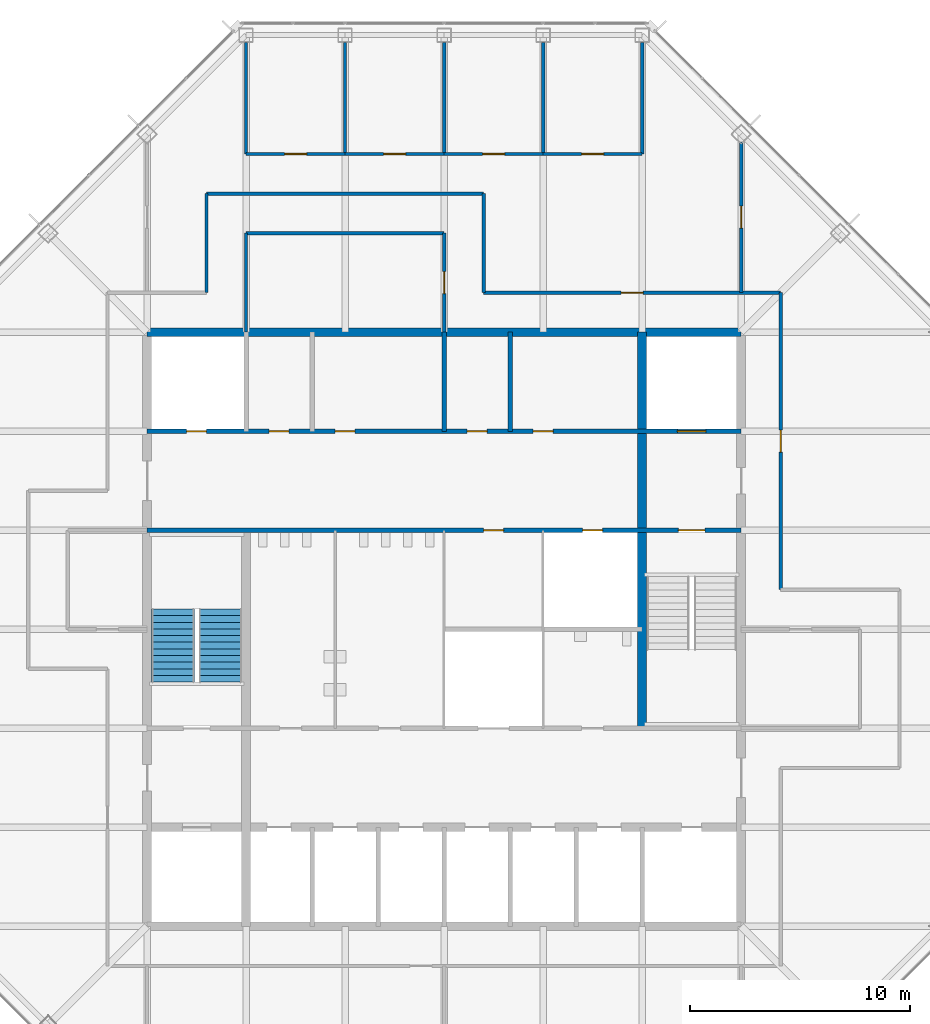
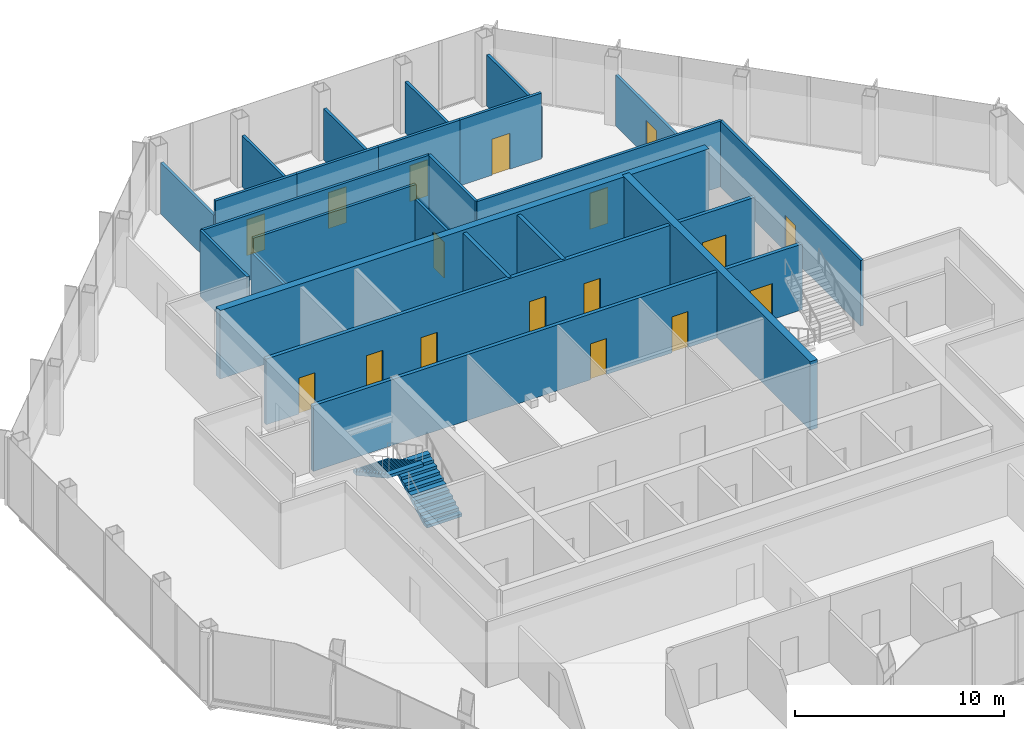
# One storey, part 11 of 14: 24 walls, 17 doors, 2 stair flights, 17 openings, 1 element without a shape of its own.
"""IFC4 building model written with IfcOpenShell, lengths in metres."""

from ifc_helpers import new_model, si_unit, direction, frame, frame_2d, origin, place, context, subcontext, project, spatial, polyline, rectangle, outline, extrude, material, layer, layer_set, type_object, element, fill, aggregate, save


model = new_model("IFC4")

# Units and contexts
model_context = context("Model", 3, precision=1e-05, world=origin(), true_north=direction((0.0, 1.0)))
body_context = subcontext(model_context, "Body", "Model", "MODEL_VIEW")
ifc_project = project(units=[si_unit("LENGTHUNIT", "METRE"), si_unit("AREAUNIT", "SQUARE_METRE"), si_unit("VOLUMEUNIT", "CUBIC_METRE"), si_unit("PLANEANGLEUNIT", "RADIAN"), si_unit("MASSUNIT", "GRAM", prefix="KILO")], contexts=[model_context])

# Site, building, storey
site_placement = place(None, origin())
site = spatial("IfcSite", under=ifc_project, at=site_placement, CompositionType="ELEMENT")
building_placement = place(site_placement, origin())
building = spatial("IfcBuilding", under=site, at=building_placement, Name="Corais Broadcast Tower", CompositionType="ELEMENT")
storey_placement = place(building_placement, frame((0.0, 0.0, 250.60009765625)))
storey = spatial("IfcBuildingStorey", under=building, at=storey_placement, Name="L58", CompositionType="ELEMENT", Elevation=250.60009765625)

# Wall, openings, doors
ifc_material_1 = material(Name="Concrete blockwork class A, grouted, two-hour", Category="masonry")
ifc_layer_1 = layer(ifc_material_1, 0.199951171875)
ifc_layer_set_1 = layer_set([ifc_layer_1], Name="Concrete blockwork class A, grouted, two-hour")
wall_type_1 = type_object("IfcWallType", Name="Core lobby wall 200", PredefinedType="SOLIDWALL", material=ifc_layer_set_1)
wall_1_placement = place(storey_placement, frame((13.5, 31.5, 0.0), z_axis=(0.0, 0.0, 1.0), x_axis=(1.0, 0.0, 0.0)))
wall_1 = element("IfcWall", 1, at=wall_1_placement, inside=storey, type_object=wall_type_1, Name="CL3 core lobby wall Y315 L58", PredefinedType="SOLIDWALL", context=body_context, shape_type="SweptSolid", body=[
    extrude(rectangle(XDim=27.0, YDim=0.199951171875, at=frame_2d((13.5, 0.0))), origin(), (0.0, 0.0, 1.0), 3.83984375),
])
opening_1_placement = place(wall_1_placement, frame((24.14990234375, 0.0, 0.0)))
opening_1 = element("IfcOpeningElement", 2, at=opening_1_placement, cuts=wall_1, Name="Opening FD1", PredefinedType="OPENING", context=body_context, shape_type="SweptSolid", body=[
    extrude(rectangle(XDim=1.199951171875, YDim=2.10009765625, at=frame_2d((0.60009765625, 1.050048828125))), frame((0.0, 0.10986328125, 0.0), z_axis=(0.0, -1.0, 0.0), x_axis=(1.0, 0.0, 0.0)), (0.0, 0.0, 1.0), 0.219970703125),
])
opening_2_placement = place(wall_1_placement, frame((15.300048828125, 0.0, 0.0)))
opening_2 = element("IfcOpeningElement", 3, at=opening_2_placement, cuts=wall_1, Name="Opening RD1", PredefinedType="OPENING", context=body_context, shape_type="SweptSolid", body=[
    extrude(rectangle(XDim=0.89990234375, YDim=2.10009765625, at=frame_2d((0.449951171875, 1.050048828125))), frame((0.0, 0.10986328125, 0.0), z_axis=(0.0, -1.0, 0.0), x_axis=(1.0, 0.0, 0.0)), (0.0, 0.0, 1.0), 0.219970703125),
])
opening_3_placement = place(wall_1_placement, frame((19.800048828125, 0.0, 0.0)))
opening_3 = element("IfcOpeningElement", 4, at=opening_3_placement, cuts=wall_1, Name="Opening RD1", PredefinedType="OPENING", context=body_context, shape_type="SweptSolid", body=[
    extrude(rectangle(XDim=0.89990234375, YDim=2.10009765625, at=frame_2d((0.449951171875, 1.050048828125))), frame((0.0, 0.10986328125, 0.0), z_axis=(0.0, -1.0, 0.0), x_axis=(1.0, 0.0, 0.0)), (0.0, 0.0, 1.0), 0.219970703125),
])
ifc_material_2 = material(Name="Steel fire door", Category="steel")
door_type_1 = type_object("IfcDoorType", Name="Fire door 1200x2100", OperationType="SINGLE_SWING_LEFT", PredefinedType="DOOR", material=ifc_material_2)
door_1_placement = place(opening_1_placement, origin())
door_1 = element("IfcDoor", 5, at=door_1_placement, inside=storey, type_object=door_type_1, Name="FD1 stair B door L58", OperationType="SINGLE_SWING_RIGHT", OverallHeight=2.10009765625, OverallWidth=1.199951171875, PredefinedType="DOOR", context=body_context, shape_type="SweptSolid", body=[
    extrude(rectangle(XDim=1.199951171875, YDim=2.10009765625, at=frame_2d((0.60009765625, 1.050048828125))), frame((0.0, 0.02490234375, 0.0), z_axis=(0.0, -1.0, 0.0), x_axis=(1.0, 0.0, 0.0)), (0.0, 0.0, 1.0), 0.050048828125),
])
fill(opening_1, door_1)
ifc_material_3 = material(Name="Steel fire door", Category="steel")
door_type_2 = type_object("IfcDoorType", Name="Riser door 900x2100", OperationType="SINGLE_SWING_LEFT", PredefinedType="DOOR", material=ifc_material_3)
door_2_placement = place(opening_2_placement, origin())
door_2 = element("IfcDoor", 6, at=door_2_placement, inside=storey, type_object=door_type_2, Name="RD1 stationery store door L58", OperationType="SINGLE_SWING_RIGHT", OverallHeight=2.10009765625, OverallWidth=0.89990234375, PredefinedType="DOOR", context=body_context, shape_type="SweptSolid", body=[
    extrude(rectangle(XDim=0.89990234375, YDim=2.10009765625, at=frame_2d((0.449951171875, 1.050048828125))), frame((0.0, 0.02490234375, 0.0), z_axis=(0.0, -1.0, 0.0), x_axis=(1.0, 0.0, 0.0)), (0.0, 0.0, 1.0), 0.050048828125),
])
fill(opening_2, door_2)
door_3_placement = place(opening_3_placement, origin())
door_3 = element("IfcDoor", 7, at=door_3_placement, inside=storey, type_object=door_type_2, Name="RD1 riser door L58", OperationType="SINGLE_SWING_RIGHT", OverallHeight=2.10009765625, OverallWidth=0.89990234375, PredefinedType="DOOR", context=body_context, shape_type="SweptSolid", body=[
    extrude(rectangle(XDim=0.89990234375, YDim=2.10009765625, at=frame_2d((0.449951171875, 1.050048828125))), frame((0.0, 0.02490234375, 0.0), z_axis=(0.0, -1.0, 0.0), x_axis=(1.0, 0.0, 0.0)), (0.0, 0.0, 1.0), 0.050048828125),
])
fill(opening_3, door_3)

# Walls
ifc_material_4 = material(Name="Concrete C50/60", Category="concrete")
ifc_layer_2 = layer(ifc_material_4, 0.39990234375)
ifc_layer_set_2 = layer_set([ifc_layer_2], Name="Concrete C50/60")
wall_type_2 = type_object("IfcWallType", Name="Core wall 400", PredefinedType="SHEAR", material=ifc_layer_set_2)
wall_2_placement = place(storey_placement, frame((40.5, 40.5, 0.0), z_axis=(0.0, 0.0, 1.0), x_axis=(-1.0, 0.0, 0.0)))
element("IfcWall", 8, at=wall_2_placement, inside=storey, type_object=wall_type_2, Name="CR400 core wall N L58", PredefinedType="SHEAR", context=body_context, shape_type="SweptSolid", body=[
    extrude(rectangle(XDim=27.0, YDim=0.39990234375, at=frame_2d((13.5, 0.0))), origin(), (0.0, 0.0, 1.0), 4.0),
])
wall_3_placement = place(storey_placement, frame((36.0, 22.5, 0.0), z_axis=(0.0, 0.0, 1.0), x_axis=(0.0, 1.0, 0.0)))
element("IfcWall", 9, at=wall_3_placement, inside=storey, type_object=wall_type_2, Name="CR400 core wall X36B L58", PredefinedType="SHEAR", context=body_context, shape_type="SweptSolid", body=[
    extrude(rectangle(XDim=18.0, YDim=0.39990234375, at=frame_2d((9.0, 0.0))), origin(), (0.0, 0.0, 1.0), 4.0),
])

# Wall, openings, doors
ifc_material_5 = material(Name="Concrete blockwork class A, grouted, four-hour", Category="masonry")
ifc_layer_3 = layer(ifc_material_5, 0.199951171875)
ifc_layer_set_3 = layer_set([ifc_layer_3], Name="Concrete blockwork class A, grouted, four-hour")
wall_type_3 = type_object("IfcWallType", Name="Emergency lift shaft wall 200", PredefinedType="SOLIDWALL", material=ifc_layer_set_3)
wall_4_placement = place(storey_placement, frame((13.5, 36.0, 0.0), z_axis=(0.0, 0.0, 1.0), x_axis=(1.0, 0.0, 0.0)))
wall_4 = element("IfcWall", 10, at=wall_4_placement, inside=storey, type_object=wall_type_3, Name="LS3 core lobby wall Y36 L58", PredefinedType="SOLIDWALL", context=body_context, shape_type="SweptSolid", body=[
    extrude(rectangle(XDim=27.0, YDim=0.199951171875, at=frame_2d((13.5, 0.0))), origin(), (0.0, 0.0, 1.0), 3.83984375),
])
opening_4_placement = place(wall_4_placement, frame((1.800048828125, 0.0, 0.0)))
opening_4 = element("IfcOpeningElement", 11, at=opening_4_placement, cuts=wall_4, Name="Opening RD1", PredefinedType="OPENING", context=body_context, shape_type="SweptSolid", body=[
    extrude(rectangle(XDim=0.89990234375, YDim=2.10009765625, at=frame_2d((0.449951171875, 1.050048828125))), frame((0.0, 0.10986328125, 0.0), z_axis=(0.0, -1.0, 0.0), x_axis=(1.0, 0.0, 0.0)), (0.0, 0.0, 1.0), 0.219970703125),
])
opening_5_placement = place(wall_4_placement, frame((5.550048828125, 0.0, 0.0)))
opening_5 = element("IfcOpeningElement", 12, at=opening_5_placement, cuts=wall_4, Name="Opening RD1", PredefinedType="OPENING", context=body_context, shape_type="SweptSolid", body=[
    extrude(rectangle(XDim=0.89990234375, YDim=2.10009765625, at=frame_2d((0.449951171875, 1.050048828125))), frame((0.0, 0.10986328125, 0.0), z_axis=(0.0, -1.0, 0.0), x_axis=(1.0, 0.0, 0.0)), (0.0, 0.0, 1.0), 0.219970703125),
])
opening_6_placement = place(wall_4_placement, frame((8.550048828125, 0.0, 0.0)))
opening_6 = element("IfcOpeningElement", 13, at=opening_6_placement, cuts=wall_4, Name="Opening RD1", PredefinedType="OPENING", context=body_context, shape_type="SweptSolid", body=[
    extrude(rectangle(XDim=0.89990234375, YDim=2.10009765625, at=frame_2d((0.449951171875, 1.050048828125))), frame((0.0, 0.10986328125, 0.0), z_axis=(0.0, -1.0, 0.0), x_axis=(1.0, 0.0, 0.0)), (0.0, 0.0, 1.0), 0.219970703125),
])
opening_7_placement = place(wall_4_placement, frame((14.550048828125, 0.0, 0.0)))
opening_7 = element("IfcOpeningElement", 14, at=opening_7_placement, cuts=wall_4, Name="Opening RD1", PredefinedType="OPENING", context=body_context, shape_type="SweptSolid", body=[
    extrude(rectangle(XDim=0.89990234375, YDim=2.10009765625, at=frame_2d((0.449951171875, 1.050048828125))), frame((0.0, 0.10986328125, 0.0), z_axis=(0.0, -1.0, 0.0), x_axis=(1.0, 0.0, 0.0)), (0.0, 0.0, 1.0), 0.219970703125),
])
opening_8_placement = place(wall_4_placement, frame((17.550048828125, 0.0, 0.0)))
opening_8 = element("IfcOpeningElement", 15, at=opening_8_placement, cuts=wall_4, Name="Opening RD1", PredefinedType="OPENING", context=body_context, shape_type="SweptSolid", body=[
    extrude(rectangle(XDim=0.89990234375, YDim=2.10009765625, at=frame_2d((0.449951171875, 1.050048828125))), frame((0.0, 0.10986328125, 0.0), z_axis=(0.0, -1.0, 0.0), x_axis=(1.0, 0.0, 0.0)), (0.0, 0.0, 1.0), 0.219970703125),
])
opening_9_placement = place(wall_4_placement, frame((24.10009765625, 0.0, 0.0)))
opening_9 = element("IfcOpeningElement", 16, at=opening_9_placement, cuts=wall_4, Name="Opening LD2", PredefinedType="OPENING", context=body_context, shape_type="SweptSolid", body=[
    extrude(rectangle(XDim=1.300048828125, YDim=2.199951171875, at=frame_2d((0.64990234375, 1.10009765625))), frame((0.0, 0.10986328125, 0.0), z_axis=(0.0, -1.0, 0.0), x_axis=(1.0, 0.0, 0.0)), (0.0, 0.0, 1.0), 0.219970703125),
])
ifc_material_6 = material(Name="Stainless steel lift door", Category="steel")
door_type_3 = type_object("IfcDoorType", Name="Lift landing door 1300x2200", OperationType="SLIDING_TO_LEFT", PredefinedType="DOOR", material=ifc_material_6)
door_4_placement = place(opening_9_placement, origin())
door_4 = element("IfcDoor", 17, at=door_4_placement, inside=storey, type_object=door_type_3, Name="LD2 FL2 landing door L58", OperationType="SLIDING_TO_LEFT", OverallHeight=2.199951171875, OverallWidth=1.300048828125, PredefinedType="DOOR", context=body_context, shape_type="SweptSolid", body=[
    extrude(rectangle(XDim=1.300048828125, YDim=2.199951171875, at=frame_2d((0.64990234375, 1.10009765625))), frame((0.0, 0.02490234375, 0.0), z_axis=(0.0, -1.0, 0.0), x_axis=(1.0, 0.0, 0.0)), (0.0, 0.0, 1.0), 0.050048828125),
])
fill(opening_9, door_4)
door_5_placement = place(opening_4_placement, origin())
door_5 = element("IfcDoor", 18, at=door_5_placement, inside=storey, type_object=door_type_2, Name="RD1 riser door L58", OperationType="SINGLE_SWING_LEFT", OverallHeight=2.10009765625, OverallWidth=0.89990234375, PredefinedType="DOOR", context=body_context, shape_type="SweptSolid", body=[
    extrude(rectangle(XDim=0.89990234375, YDim=2.10009765625, at=frame_2d((0.449951171875, 1.050048828125))), frame((0.0, 0.02490234375, 0.0), z_axis=(0.0, -1.0, 0.0), x_axis=(1.0, 0.0, 0.0)), (0.0, 0.0, 1.0), 0.050048828125),
])
fill(opening_4, door_5)
door_6_placement = place(opening_5_placement, origin())
door_6 = element("IfcDoor", 19, at=door_6_placement, inside=storey, type_object=door_type_2, Name="RD1 print room door L58", OperationType="SINGLE_SWING_LEFT", OverallHeight=2.10009765625, OverallWidth=0.89990234375, PredefinedType="DOOR", context=body_context, shape_type="SweptSolid", body=[
    extrude(rectangle(XDim=0.89990234375, YDim=2.10009765625, at=frame_2d((0.449951171875, 1.050048828125))), frame((0.0, 0.02490234375, 0.0), z_axis=(0.0, -1.0, 0.0), x_axis=(1.0, 0.0, 0.0)), (0.0, 0.0, 1.0), 0.050048828125),
])
fill(opening_5, door_6)
door_7_placement = place(opening_6_placement, origin())
door_7 = element("IfcDoor", 20, at=door_7_placement, inside=storey, type_object=door_type_2, Name="RD1 wellness room door L58", OperationType="SINGLE_SWING_LEFT", OverallHeight=2.10009765625, OverallWidth=0.89990234375, PredefinedType="DOOR", context=body_context, shape_type="SweptSolid", body=[
    extrude(rectangle(XDim=0.89990234375, YDim=2.10009765625, at=frame_2d((0.449951171875, 1.050048828125))), frame((0.0, 0.02490234375, 0.0), z_axis=(0.0, -1.0, 0.0), x_axis=(1.0, 0.0, 0.0)), (0.0, 0.0, 1.0), 0.050048828125),
])
fill(opening_6, door_7)
door_8_placement = place(opening_7_placement, origin())
door_8 = element("IfcDoor", 21, at=door_8_placement, inside=storey, type_object=door_type_2, Name="RD1 first aid room door L58", OperationType="SINGLE_SWING_RIGHT", OverallHeight=2.10009765625, OverallWidth=0.89990234375, PredefinedType="DOOR", context=body_context, shape_type="SweptSolid", body=[
    extrude(rectangle(XDim=0.89990234375, YDim=2.10009765625, at=frame_2d((0.449951171875, 1.050048828125))), frame((0.0, 0.02490234375, 0.0), z_axis=(0.0, -1.0, 0.0), x_axis=(1.0, 0.0, 0.0)), (0.0, 0.0, 1.0), 0.050048828125),
])
fill(opening_7, door_8)
door_9_placement = place(opening_8_placement, origin())
door_9 = element("IfcDoor", 22, at=door_9_placement, inside=storey, type_object=door_type_2, Name="RD1 vending room door L58", OperationType="SINGLE_SWING_RIGHT", OverallHeight=2.10009765625, OverallWidth=0.89990234375, PredefinedType="DOOR", context=body_context, shape_type="SweptSolid", body=[
    extrude(rectangle(XDim=0.89990234375, YDim=2.10009765625, at=frame_2d((0.449951171875, 1.050048828125))), frame((0.0, 0.02490234375, 0.0), z_axis=(0.0, -1.0, 0.0), x_axis=(1.0, 0.0, 0.0)), (0.0, 0.0, 1.0), 0.050048828125),
])
fill(opening_8, door_9)

# Wall, opening, door
ifc_material_7 = material(Name="Gypsum board on steel studs", Category="steel")
ifc_layer_4 = layer(ifc_material_7, 0.14990234375)
ifc_layer_set_4 = layer_set([ifc_layer_4], Name="Gypsum board on steel studs")
wall_type_4 = type_object("IfcWallType", Name="Partition 150", PredefinedType="PARTITIONING", material=ifc_layer_set_4)
wall_5_placement = place(storey_placement, frame((42.300048828125, 28.800048828125, 0.0), z_axis=(0.0, 0.0, 1.0), x_axis=(0.0, 1.0, 0.0)))
wall_5 = element("IfcWall", 23, at=wall_5_placement, inside=storey, type_object=wall_type_4, Name="IW3 corridor wall L58", PredefinedType="PARTITIONING", context=body_context, shape_type="SweptSolid", body=[
    extrude(rectangle(XDim=13.5, YDim=0.14990234375, at=frame_2d((6.75, 0.0))), origin(), (0.0, 0.0, 1.0), 3.83984375),
])
opening_10_placement = place(wall_5_placement, frame((6.25, 0.0, 0.0)))
opening_10 = element("IfcOpeningElement", 24, at=opening_10_placement, cuts=wall_5, Name="Opening D1", PredefinedType="OPENING", context=body_context, shape_type="SweptSolid", body=[
    extrude(rectangle(XDim=1.0, YDim=2.10009765625, at=frame_2d((0.5, 1.050048828125))), frame((0.0, 0.0849609375, 0.0), z_axis=(0.0, -1.0, 0.0), x_axis=(1.0, 0.0, 0.0)), (0.0, 0.0, 1.0), 0.169921875),
])
ifc_material_8 = material(Name="Timber door", Category="wood")
door_type_4 = type_object("IfcDoorType", Name="Single door 1000x2100", OperationType="SINGLE_SWING_LEFT", PredefinedType="DOOR", material=ifc_material_8)
door_10_placement = place(opening_10_placement, origin())
door_10 = element("IfcDoor", 25, at=door_10_placement, inside=storey, type_object=door_type_4, Name="D1 workplace door L58", OperationType="SINGLE_SWING_LEFT", OverallHeight=2.10009765625, OverallWidth=1.0, PredefinedType="DOOR", context=body_context, shape_type="SweptSolid", body=[
    extrude(rectangle(XDim=1.0, YDim=2.10009765625, at=frame_2d((0.5, 1.050048828125))), frame((0.0, 0.02490234375, 0.0), z_axis=(0.0, -1.0, 0.0), x_axis=(1.0, 0.0, 0.0)), (0.0, 0.0, 1.0), 0.050048828125),
])
fill(opening_10, door_10)

wall_6_placement = place(storey_placement, frame((42.300048828125, 42.300048828125, 0.0), z_axis=(0.0, 0.0, 1.0), x_axis=(-1.0, 0.0, 0.0)))
wall_6 = element("IfcWall", 26, at=wall_6_placement, inside=storey, type_object=wall_type_4, Name="IW3 corridor wall L58", PredefinedType="PARTITIONING", context=body_context, shape_type="SweptSolid", body=[
    extrude(rectangle(XDim=13.5, YDim=0.14990234375, at=frame_2d((6.75, 0.0))), origin(), (0.0, 0.0, 1.0), 3.83984375),
])
opening_11_placement = place(wall_6_placement, frame((6.25, 0.0, 0.0)))
opening_11 = element("IfcOpeningElement", 27, at=opening_11_placement, cuts=wall_6, Name="Opening D1", PredefinedType="OPENING", context=body_context, shape_type="SweptSolid", body=[
    extrude(rectangle(XDim=1.0, YDim=2.10009765625, at=frame_2d((0.5, 1.050048828125))), frame((0.0, 0.0849609375, 0.0), z_axis=(0.0, -1.0, 0.0), x_axis=(1.0, 0.0, 0.0)), (0.0, 0.0, 1.0), 0.169921875),
])
door_11_placement = place(opening_11_placement, origin())
door_11 = element("IfcDoor", 28, at=door_11_placement, inside=storey, type_object=door_type_4, Name="D1 workplace door L58", OperationType="SINGLE_SWING_LEFT", OverallHeight=2.10009765625, OverallWidth=1.0, PredefinedType="DOOR", context=body_context, shape_type="SweptSolid", body=[
    extrude(rectangle(XDim=1.0, YDim=2.10009765625, at=frame_2d((0.5, 1.050048828125))), frame((0.0, 0.02490234375, 0.0), z_axis=(0.0, -1.0, 0.0), x_axis=(1.0, 0.0, 0.0)), (0.0, 0.0, 1.0), 0.050048828125),
])
fill(opening_11, door_11)

# Walls
wall_7_placement = place(storey_placement, frame((28.800048828125, 46.800048828125, 0.0), z_axis=(0.0, 0.0, 1.0), x_axis=(-1.0, 0.0, 0.0)))
element("IfcWall", 29, at=wall_7_placement, inside=storey, type_object=wall_type_4, Name="IW3 corridor wall L58", PredefinedType="PARTITIONING", context=body_context, shape_type="SweptSolid", body=[
    extrude(rectangle(XDim=12.60009765625, YDim=0.14990234375, at=frame_2d((6.300048828125, 0.0))), origin(), (0.0, 0.0, 1.0), 3.83984375),
])
for number, where, z_axis, x_axis, name in (
    (30, (16.199951171875, 46.800048828125, 0.0), (0.0, 0.0, 1.0), (0.0, -1.0, 0.0), "IW3 corridor wall L58"),
    (31, (28.800048828125, 42.300048828125, 0.0), (0.0, 0.0, 1.0), (0.0, 1.0, 0.0), "IW3 corridor wall L58"),
):
    element("IfcWall", number, at=place(storey_placement, frame(where, z_axis=z_axis, x_axis=x_axis)), inside=storey, type_object=wall_type_4, Name=name, PredefinedType="PARTITIONING", context=body_context, shape_type="SweptSolid", body=[
        extrude(rectangle(XDim=4.5, YDim=0.14990234375, at=frame_2d((2.25, 0.0))), origin(), (0.0, 0.0, 1.0), 3.83984375),
    ])

# Wall, opening, door
wall_8_placement = place(storey_placement, frame((27.0, 40.5, 0.0), z_axis=(0.0, 0.0, 1.0), x_axis=(0.0, 1.0, 0.0)))
wall_8 = element("IfcWall", 32, at=wall_8_placement, inside=storey, type_object=wall_type_4, Name="IW3 partition L58", PredefinedType="PARTITIONING", context=body_context, shape_type="SweptSolid", body=[
    extrude(rectangle(XDim=4.5, YDim=0.14990234375, at=frame_2d((2.25, 0.0))), origin(), (0.0, 0.0, 1.0), 2.989013671875),
])
opening_12_placement = place(wall_8_placement, frame((1.75, 0.0, 0.0)))
opening_12 = element("IfcOpeningElement", 33, at=opening_12_placement, cuts=wall_8, Name="Opening D1", PredefinedType="OPENING", context=body_context, shape_type="SweptSolid", body=[
    extrude(rectangle(XDim=1.0, YDim=2.10009765625, at=frame_2d((0.5, 1.050048828125))), frame((0.0, 0.0849609375, 0.0), z_axis=(0.0, -1.0, 0.0), x_axis=(1.0, 0.0, 0.0)), (0.0, 0.0, 1.0), 0.169921875),
])
door_12_placement = place(opening_12_placement, origin())
door_12 = element("IfcDoor", 34, at=door_12_placement, inside=storey, type_object=door_type_4, Name="D1 Screening meeting room door", OperationType="SINGLE_SWING_LEFT", OverallHeight=2.10009765625, OverallWidth=1.0, PredefinedType="DOOR", context=body_context, shape_type="SweptSolid", body=[
    extrude(rectangle(XDim=1.0, YDim=2.10009765625, at=frame_2d((0.5, 1.050048828125))), frame((0.0, 0.02490234375, 0.0), z_axis=(0.0, -1.0, 0.0), x_axis=(1.0, 0.0, 0.0)), (0.0, 0.0, 1.0), 0.050048828125),
])
fill(opening_12, door_12)

# Walls
wall_9_placement = place(storey_placement, frame((27.0, 45.0, 0.0), z_axis=(0.0, 0.0, 1.0), x_axis=(-1.0, 0.0, 0.0)))
element("IfcWall", 35, at=wall_9_placement, inside=storey, type_object=wall_type_4, Name="IW3 partition L58", PredefinedType="PARTITIONING", context=body_context, shape_type="SweptSolid", body=[
    extrude(rectangle(XDim=9.0, YDim=0.14990234375, at=frame_2d((4.5, 0.0))), origin(), (0.0, 0.0, 1.0), 3.83984375),
])
wall_10_placement = place(storey_placement, frame((18.0, 45.0, 0.0), z_axis=(0.0, 0.0, 1.0), x_axis=(0.0, -1.0, 0.0)))
element("IfcWall", 36, at=wall_10_placement, inside=storey, type_object=wall_type_4, Name="IW3 partition L58", PredefinedType="PARTITIONING", context=body_context, shape_type="SweptSolid", body=[
    extrude(rectangle(XDim=4.5, YDim=0.14990234375, at=frame_2d((2.25, 0.0))), origin(), (0.0, 0.0, 1.0), 2.989013671875),
])

# Wall, opening, door
wall_11_placement = place(storey_placement, frame((18.0, 48.60009765625, 0.0), z_axis=(0.0, 0.0, 1.0), x_axis=(1.0, 0.0, 0.0)))
wall_11 = element("IfcWall", 37, at=wall_11_placement, inside=storey, type_object=wall_type_4, Name="IW3 partition L58", PredefinedType="PARTITIONING", context=body_context, shape_type="SweptSolid", body=[
    extrude(rectangle(XDim=4.5, YDim=0.14990234375, at=frame_2d((2.25, 0.0))), origin(), (0.0, 0.0, 1.0), 3.83984375),
])
opening_13_placement = place(wall_11_placement, frame((1.75, 0.0, 0.0)))
opening_13 = element("IfcOpeningElement", 38, at=opening_13_placement, cuts=wall_11, Name="Opening D1", PredefinedType="OPENING", context=body_context, shape_type="SweptSolid", body=[
    extrude(rectangle(XDim=1.0, YDim=2.10009765625, at=frame_2d((0.5, 1.050048828125))), frame((0.0, 0.0849609375, 0.0), z_axis=(0.0, -1.0, 0.0), x_axis=(1.0, 0.0, 0.0)), (0.0, 0.0, 1.0), 0.169921875),
])
door_13_placement = place(opening_13_placement, origin())
door_13 = element("IfcDoor", 39, at=door_13_placement, inside=storey, type_object=door_type_4, Name="D1 Negotiation meeting room door", OperationType="SINGLE_SWING_LEFT", OverallHeight=2.10009765625, OverallWidth=1.0, PredefinedType="DOOR", context=body_context, shape_type="SweptSolid", body=[
    extrude(rectangle(XDim=1.0, YDim=2.10009765625, at=frame_2d((0.5, 1.050048828125))), frame((0.0, 0.02490234375, 0.0), z_axis=(0.0, -1.0, 0.0), x_axis=(1.0, 0.0, 0.0)), (0.0, 0.0, 1.0), 0.050048828125),
])
fill(opening_13, door_13)

# Walls
for number, where, z_axis, x_axis, name in (
    (40, (22.5, 48.60009765625, 0.0), (0.0, 0.0, 1.0), (0.0, 1.0, 0.0), "IW3 partition L58"),
    (41, (18.0, 53.6650390625, 0.0), (0.0, 0.0, 1.0), (0.0, -1.0, 0.0), "IW3 partition L58"),
):
    element("IfcWall", number, at=place(storey_placement, frame(where, z_axis=z_axis, x_axis=x_axis)), inside=storey, type_object=wall_type_4, Name=name, PredefinedType="PARTITIONING", context=body_context, shape_type="SweptSolid", body=[
        extrude(rectangle(XDim=5.06494140625, YDim=0.14990234375, at=frame_2d((2.532470703125, 0.0))), origin(), (0.0, 0.0, 1.0), 2.989013671875),
    ])

# Wall, opening, door
wall_12_placement = place(storey_placement, frame((22.5, 48.60009765625, 0.0), z_axis=(0.0, 0.0, 1.0), x_axis=(1.0, 0.0, 0.0)))
wall_12 = element("IfcWall", 42, at=wall_12_placement, inside=storey, type_object=wall_type_4, Name="IW3 partition L58", PredefinedType="PARTITIONING", context=body_context, shape_type="SweptSolid", body=[
    extrude(rectangle(XDim=4.5, YDim=0.14990234375, at=frame_2d((2.25, 0.0))), origin(), (0.0, 0.0, 1.0), 3.83984375),
])
opening_14_placement = place(wall_12_placement, frame((1.75, 0.0, 0.0)))
opening_14 = element("IfcOpeningElement", 43, at=opening_14_placement, cuts=wall_12, Name="Opening D1", PredefinedType="OPENING", context=body_context, shape_type="SweptSolid", body=[
    extrude(rectangle(XDim=1.0, YDim=2.10009765625, at=frame_2d((0.5, 1.050048828125))), frame((0.0, 0.0849609375, 0.0), z_axis=(0.0, -1.0, 0.0), x_axis=(1.0, 0.0, 0.0)), (0.0, 0.0, 1.0), 0.169921875),
])
door_14_placement = place(opening_14_placement, origin())
door_14 = element("IfcDoor", 44, at=door_14_placement, inside=storey, type_object=door_type_4, Name="D1 Negotiation meeting room door", OperationType="SINGLE_SWING_LEFT", OverallHeight=2.10009765625, OverallWidth=1.0, PredefinedType="DOOR", context=body_context, shape_type="SweptSolid", body=[
    extrude(rectangle(XDim=1.0, YDim=2.10009765625, at=frame_2d((0.5, 1.050048828125))), frame((0.0, 0.02490234375, 0.0), z_axis=(0.0, -1.0, 0.0), x_axis=(1.0, 0.0, 0.0)), (0.0, 0.0, 1.0), 0.050048828125),
])
fill(opening_14, door_14)

# Wall
wall_13_placement = place(storey_placement, frame((27.0, 48.60009765625, 0.0), z_axis=(0.0, 0.0, 1.0), x_axis=(0.0, 1.0, 0.0)))
element("IfcWall", 45, at=wall_13_placement, inside=storey, type_object=wall_type_4, Name="IW3 partition L58", PredefinedType="PARTITIONING", context=body_context, shape_type="SweptSolid", body=[
    extrude(rectangle(XDim=5.06494140625, YDim=0.14990234375, at=frame_2d((2.532470703125, 0.0))), origin(), (0.0, 0.0, 1.0), 2.989013671875),
])

# Wall, opening, door
wall_14_placement = place(storey_placement, frame((27.0, 48.60009765625, 0.0), z_axis=(0.0, 0.0, 1.0), x_axis=(1.0, 0.0, 0.0)))
wall_14 = element("IfcWall", 46, at=wall_14_placement, inside=storey, type_object=wall_type_4, Name="IW3 partition L58", PredefinedType="PARTITIONING", context=body_context, shape_type="SweptSolid", body=[
    extrude(rectangle(XDim=4.5, YDim=0.14990234375, at=frame_2d((2.25, 0.0))), origin(), (0.0, 0.0, 1.0), 3.83984375),
])
opening_15_placement = place(wall_14_placement, frame((1.75, 0.0, 0.0)))
opening_15 = element("IfcOpeningElement", 47, at=opening_15_placement, cuts=wall_14, Name="Opening D1", PredefinedType="OPENING", context=body_context, shape_type="SweptSolid", body=[
    extrude(rectangle(XDim=1.0, YDim=2.10009765625, at=frame_2d((0.5, 1.050048828125))), frame((0.0, 0.0849609375, 0.0), z_axis=(0.0, -1.0, 0.0), x_axis=(1.0, 0.0, 0.0)), (0.0, 0.0, 1.0), 0.169921875),
])
door_15_placement = place(opening_15_placement, origin())
door_15 = element("IfcDoor", 48, at=door_15_placement, inside=storey, type_object=door_type_4, Name="D1 Negotiation meeting room door", OperationType="SINGLE_SWING_LEFT", OverallHeight=2.10009765625, OverallWidth=1.0, PredefinedType="DOOR", context=body_context, shape_type="SweptSolid", body=[
    extrude(rectangle(XDim=1.0, YDim=2.10009765625, at=frame_2d((0.5, 1.050048828125))), frame((0.0, 0.02490234375, 0.0), z_axis=(0.0, -1.0, 0.0), x_axis=(1.0, 0.0, 0.0)), (0.0, 0.0, 1.0), 0.050048828125),
])
fill(opening_15, door_15)

# Wall
wall_15_placement = place(storey_placement, frame((31.5, 48.60009765625, 0.0), z_axis=(0.0, 0.0, 1.0), x_axis=(0.0, 1.0, 0.0)))
element("IfcWall", 49, at=wall_15_placement, inside=storey, type_object=wall_type_4, Name="IW3 partition L58", PredefinedType="PARTITIONING", context=body_context, shape_type="SweptSolid", body=[
    extrude(rectangle(XDim=5.06494140625, YDim=0.14990234375, at=frame_2d((2.532470703125, 0.0))), origin(), (0.0, 0.0, 1.0), 2.989013671875),
])

# Wall, opening, door
wall_16_placement = place(storey_placement, frame((31.5, 48.60009765625, 0.0), z_axis=(0.0, 0.0, 1.0), x_axis=(1.0, 0.0, 0.0)))
wall_16 = element("IfcWall", 50, at=wall_16_placement, inside=storey, type_object=wall_type_4, Name="IW3 partition L58", PredefinedType="PARTITIONING", context=body_context, shape_type="SweptSolid", body=[
    extrude(rectangle(XDim=4.5, YDim=0.14990234375, at=frame_2d((2.25, 0.0))), origin(), (0.0, 0.0, 1.0), 3.83984375),
])
opening_16_placement = place(wall_16_placement, frame((1.75, 0.0, 0.0)))
opening_16 = element("IfcOpeningElement", 51, at=opening_16_placement, cuts=wall_16, Name="Opening D1", PredefinedType="OPENING", context=body_context, shape_type="SweptSolid", body=[
    extrude(rectangle(XDim=1.0, YDim=2.10009765625, at=frame_2d((0.5, 1.050048828125))), frame((0.0, 0.0849609375, 0.0), z_axis=(0.0, -1.0, 0.0), x_axis=(1.0, 0.0, 0.0)), (0.0, 0.0, 1.0), 0.169921875),
])
door_16_placement = place(opening_16_placement, origin())
door_16 = element("IfcDoor", 52, at=door_16_placement, inside=storey, type_object=door_type_4, Name="D1 Negotiation meeting room door", OperationType="SINGLE_SWING_LEFT", OverallHeight=2.10009765625, OverallWidth=1.0, PredefinedType="DOOR", context=body_context, shape_type="SweptSolid", body=[
    extrude(rectangle(XDim=1.0, YDim=2.10009765625, at=frame_2d((0.5, 1.050048828125))), frame((0.0, 0.02490234375, 0.0), z_axis=(0.0, -1.0, 0.0), x_axis=(1.0, 0.0, 0.0)), (0.0, 0.0, 1.0), 0.050048828125),
])
fill(opening_16, door_16)

# Wall
wall_17_placement = place(storey_placement, frame((36.0, 48.60009765625, 0.0), z_axis=(0.0, 0.0, 1.0), x_axis=(0.0, 1.0, 0.0)))
element("IfcWall", 53, at=wall_17_placement, inside=storey, type_object=wall_type_4, Name="IW3 partition L58", PredefinedType="PARTITIONING", context=body_context, shape_type="SweptSolid", body=[
    extrude(rectangle(XDim=5.06494140625, YDim=0.14990234375, at=frame_2d((2.532470703125, 0.0))), origin(), (0.0, 0.0, 1.0), 2.989013671875),
])

# Wall, opening, door
wall_18_placement = place(storey_placement, frame((40.5, 49.155029296875, 0.0), z_axis=(0.0, 0.0, 1.0), x_axis=(0.0, -1.0, 0.0)))
wall_18 = element("IfcWall", 54, at=wall_18_placement, inside=storey, type_object=wall_type_4, Name="IW3 partition L58", PredefinedType="PARTITIONING", context=body_context, shape_type="SweptSolid", body=[
    extrude(rectangle(XDim=6.85498046875, YDim=0.14990234375, at=frame_2d((3.427490234375, 0.0))), origin(), (0.0, 0.0, 1.0), 2.989013671875),
])
opening_17_placement = place(wall_18_placement, frame((2.927490234375, 0.0, 0.0)))
opening_17 = element("IfcOpeningElement", 55, at=opening_17_placement, cuts=wall_18, Name="Opening D1", PredefinedType="OPENING", context=body_context, shape_type="SweptSolid", body=[
    extrude(rectangle(XDim=1.0, YDim=2.10009765625, at=frame_2d((0.5, 1.050048828125))), frame((0.0, 0.0849609375, 0.0), z_axis=(0.0, -1.0, 0.0), x_axis=(1.0, 0.0, 0.0)), (0.0, 0.0, 1.0), 0.169921875),
])
door_17_placement = place(opening_17_placement, origin())
door_17 = element("IfcDoor", 56, at=door_17_placement, inside=storey, type_object=door_type_4, Name="D1 team room door L58", OperationType="SINGLE_SWING_LEFT", OverallHeight=2.10009765625, OverallWidth=1.0, PredefinedType="DOOR", context=body_context, shape_type="SweptSolid", body=[
    extrude(rectangle(XDim=1.0, YDim=2.10009765625, at=frame_2d((0.5, 1.050048828125))), frame((0.0, 0.02490234375, 0.0), z_axis=(0.0, -1.0, 0.0), x_axis=(1.0, 0.0, 0.0)), (0.0, 0.0, 1.0), 0.050048828125),
])
fill(opening_17, door_17)

# Walls
ifc_material_9 = material(Name="Concrete blockwork class A, grouted, two-hour", Category="masonry")
ifc_layer_5 = layer(ifc_material_9, 0.199951171875)
ifc_layer_set_5 = layer_set([ifc_layer_5], Name="Concrete blockwork class A, grouted, two-hour")
wall_type_5 = type_object("IfcWallType", Name="Shaft wall 200", PredefinedType="PARTITIONING", material=ifc_layer_set_5)
for number, where, z_axis, x_axis, name in (
    (57, (27.0, 36.0, 0.0), (0.0, 0.0, 1.0), (0.0, 1.0, 0.0), "IW1 shaft wall L58"),
    (58, (30.0, 36.0, 0.0), (0.0, 0.0, 1.0), (0.0, 1.0, 0.0), "IW1 shaft wall L58"),
):
    element("IfcWall", number, at=place(storey_placement, frame(where, z_axis=z_axis, x_axis=x_axis)), inside=storey, type_object=wall_type_5, Name=name, PredefinedType="PARTITIONING", context=body_context, shape_type="SweptSolid", body=[
        extrude(rectangle(XDim=4.5, YDim=0.199951171875, at=frame_2d((2.25, 0.0))), origin(), (0.0, 0.0, 1.0), 3.83984375),
    ])

# Stair, stair flights
ifc_material_10 = material(Name="Concrete C30/37", Category="concrete")
stair_type = type_object("IfcStairType", Name="Half-turn stair 4000", PredefinedType="HALF_TURN_STAIR", material=ifc_material_10)
stair_placement = place(storey_placement, origin())
stair = element("IfcStair", 59, at=stair_placement, inside=storey, type_object=stair_type, Name="Stair A L58", PredefinedType="HALF_TURN_STAIR")
ifc_material_11 = material(Name="Concrete C30/37", Category="concrete")
stair_flight_type = type_object("IfcStairFlightType", Name="Stair flight 4000", PredefinedType="STRAIGHT", material=ifc_material_11)
stair_flight_1_placement = place(storey_placement, frame((16.824951171875, 24.60009765625, 0.0), z_axis=(0.0, 0.0, 1.0), x_axis=(0.0, 1.0, 0.0)))
stair_flight_1 = element("IfcStairFlight", 60, at=stair_flight_1_placement, type_object=stair_flight_type, Name="STA flight 1", NumberOfRisers=12, NumberOfTreads=11, PredefinedType="STRAIGHT", RiserHeight=0.166666667, TreadLength=0.302, context=body_context, shape_type="SweptSolid", body=[
    extrude(outline(polyline([(0.0, 0.0), (0.0, 0.166748046875), (0.302001953125, 0.166748046875), (0.302001953125, 0.333251953125), (0.60400390625, 0.333251953125), (0.60400390625, 0.5), (0.906005859375, 0.5), (0.906005859375, 0.666748046875), (1.2080078125, 0.666748046875), (1.2080078125, 0.833251953125), (1.510009765625, 0.833251953125), (1.510009765625, 1.0), (1.81201171875, 1.0), (1.81201171875, 1.166748046875), (2.114013671875, 1.166748046875), (2.114013671875, 1.333251953125), (2.416015625, 1.333251953125), (2.416015625, 1.5), (2.718017578125, 1.5), (2.718017578125, 1.666748046875), (3.02001953125, 1.666748046875), (3.02001953125, 1.833251953125), (3.322021484375, 1.833251953125), (3.322021484375, 2.0), (3.322021484375, 1.662109375), (0.310302734375, 0.0), (0.0, 0.0)])), frame((0.0, 0.97509765625, 0.0), z_axis=(0.0, -1.0, 0.0), x_axis=(1.0, 0.0, 0.0)), (0.0, 0.0, 1.0), 1.949951171875),
])
stair_flight_2_placement = place(storey_placement, frame((14.675048828125, 27.922119140625, 2.0), z_axis=(0.0, 0.0, 1.0), x_axis=(0.0, -1.0, 0.0)))
stair_flight_2 = element("IfcStairFlight", 61, at=stair_flight_2_placement, type_object=stair_flight_type, Name="STA flight 2", NumberOfRisers=12, NumberOfTreads=11, PredefinedType="STRAIGHT", RiserHeight=0.166666667, TreadLength=0.302, context=body_context, shape_type="SweptSolid", body=[
    extrude(outline(polyline([(0.0, 0.0), (0.0, 0.166748046875), (0.302001953125, 0.166748046875), (0.302001953125, 0.333251953125), (0.60400390625, 0.333251953125), (0.60400390625, 0.5), (0.906005859375, 0.5), (0.906005859375, 0.666748046875), (1.2080078125, 0.666748046875), (1.2080078125, 0.833251953125), (1.510009765625, 0.833251953125), (1.510009765625, 1.0), (1.81201171875, 1.0), (1.81201171875, 1.166748046875), (2.114013671875, 1.166748046875), (2.114013671875, 1.333251953125), (2.416015625, 1.333251953125), (2.416015625, 1.5), (2.718017578125, 1.5), (2.718017578125, 1.666748046875), (3.02001953125, 1.666748046875), (3.02001953125, 1.833251953125), (3.322021484375, 1.833251953125), (3.322021484375, 2.0), (3.322021484375, 1.662109375), (0.310302734375, 0.0), (0.0, 0.0)])), frame((0.0, 0.97509765625, 0.0), z_axis=(0.0, -1.0, 0.0), x_axis=(1.0, 0.0, 0.0)), (0.0, 0.0, 1.0), 1.949951171875),
])
aggregate(stair, [stair_flight_1, stair_flight_2])

save(model, "model.ifc")
